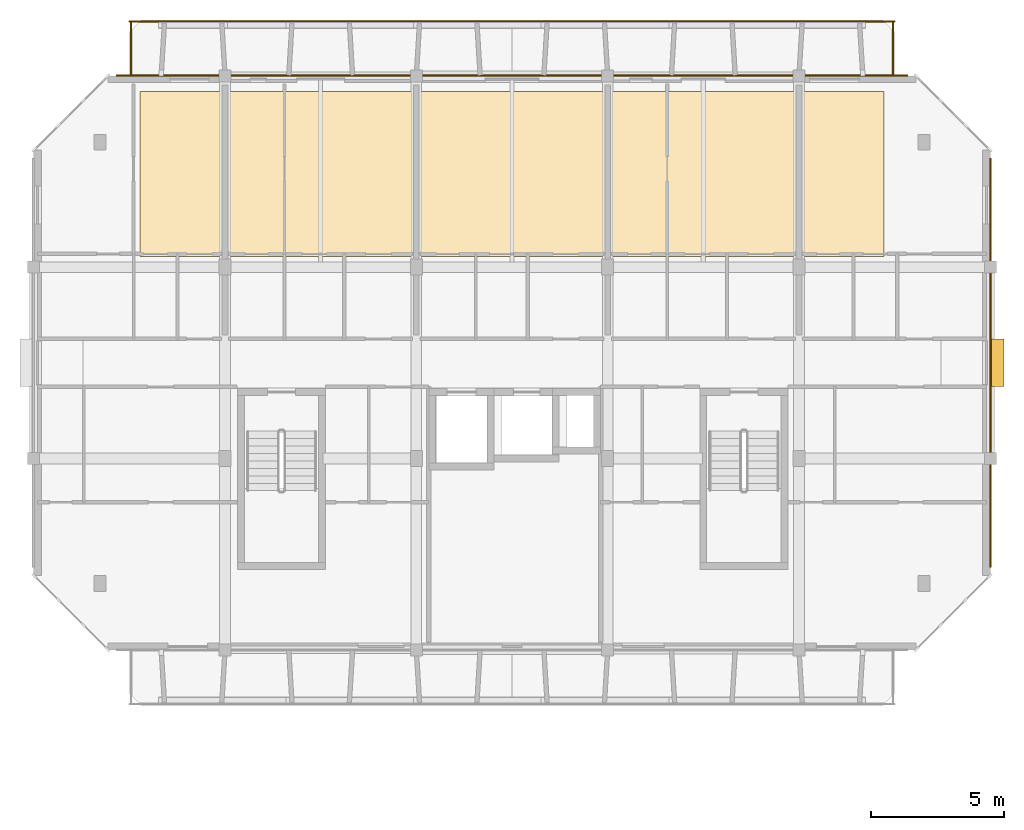
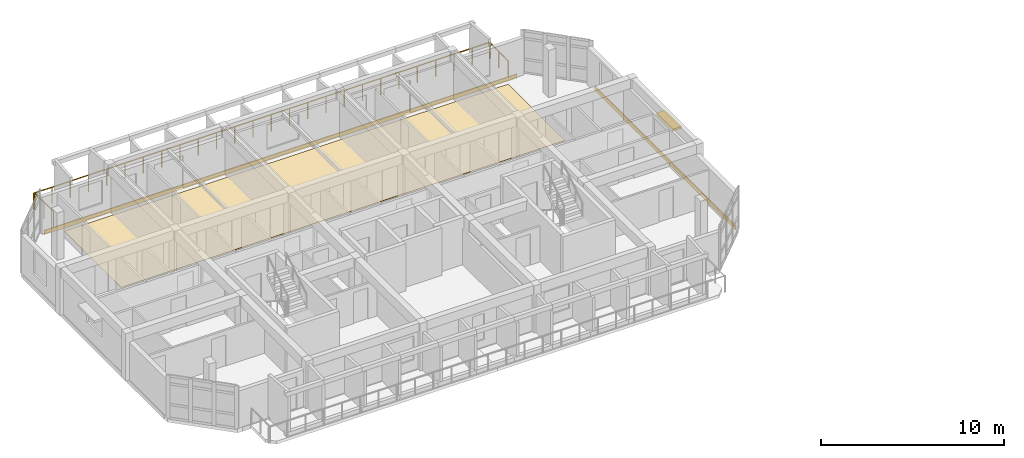
# One storey, part 22 of 22: 3 coverings, 3 railings, 1 shading device.
"""IFC4 building model written with IfcOpenShell, lengths in metres."""

import ifcopenshell
import ifcopenshell.guid

model = None  # the IFC model being written
_history = None  # IfcOwnerHistory: only IFC2X3 demands one
_inside = {}  # id of a spatial element -> (the spatial element, [elements in it])
_under = {}  # id of a project, library or spatial element -> (it, [spatial elements below it])
_declared = {}  # id of a project -> (the project, [libraries it declares])
_typed = {}  # id of a type object -> (the type object, [elements of that type])
_made_of = {}  # id of a material, layer set ... -> (it, [elements and type objects made of it])


def new_model(schema):
    """Start an empty IFC model of exactly this schema.

    Asked for "IFC4X3", IfcOpenShell would pick the latest addendum, in which some entities
    have other attributes; the version numbers below select the first issue.
    IFC2X3 requires an IfcOwnerHistory on every rooted entity: one is made here for all.
    """
    global model, _history
    if schema == "IFC4X3":
        model = ifcopenshell.file(schema_version=(4, 3, 0, 0))
    else:
        model = ifcopenshell.file(schema=schema)
    _inside.clear()
    _under.clear()
    _declared.clear()
    _typed.clear()
    _made_of.clear()
    _history = None
    if model.schema == "IFC2X3":
        org = make("IfcOrganization", Name="unknown")
        user = make(
            "IfcPersonAndOrganization",
            ThePerson=make("IfcPerson", FamilyName="unknown"),
            TheOrganization=org,
        )
        app = make(
            "IfcApplication",
            ApplicationDeveloper=org,
            Version="unknown",
            ApplicationFullName="unknown",
            ApplicationIdentifier="unknown",
        )
        _history = make(
            "IfcOwnerHistory",
            OwningUser=user,
            OwningApplication=app,
            ChangeAction="ADDED",
            CreationDate=0,
        )
    return model


def make(cls, **values):
    """One entity of the class cls with the attributes given. An attribute that is None is left unset."""
    return model.create_entity(
        cls, **{name: value for name, value in values.items() if value is not None}
    )


def rooted(cls, **values):
    """An entity with a GlobalId (a new one), such as an element, a storey or a relation."""
    return make(cls, GlobalId=ifcopenshell.guid.new(), OwnerHistory=_history, **values)


def si_unit(unit_type, name, prefix=None):
    """IfcSIUnit, for example si_unit("LENGTHUNIT", "METRE", prefix="MILLI")."""
    return make("IfcSIUnit", UnitType=unit_type, Prefix=prefix, Name=name)


def assignment(units):
    """IfcUnitAssignment: the units of a project."""
    return None if units is None else make("IfcUnitAssignment", Units=units)


def point(xyz):
    """IfcCartesianPoint."""
    return None if xyz is None else make("IfcCartesianPoint", Coordinates=xyz)


def direction(xyz):
    """IfcDirection."""
    return None if xyz is None else make("IfcDirection", DirectionRatios=xyz)


def frame(location, z_axis=None, x_axis=None):
    """IfcAxis2Placement3D, a coordinate frame: its origin and axes. An axis left out is left unset."""
    return make(
        "IfcAxis2Placement3D",
        Location=point(location),
        Axis=direction(z_axis),
        RefDirection=direction(x_axis),
    )


def frame_2d(location, x_axis=None):
    """IfcAxis2Placement2D, a coordinate frame in the plane: its origin and x axis."""
    return make(
        "IfcAxis2Placement2D", Location=point(location), RefDirection=direction(x_axis)
    )


def origin():
    """The frame at (0, 0, 0) with its axes left unset."""
    return frame((0.0, 0.0, 0.0))


def origin_2d():
    """The frame at (0, 0) in the plane with its x axis left unset."""
    return frame_2d((0.0, 0.0))


def place(relative_to, where):
    """IfcLocalPlacement: puts the frame where relative to a parent placement (None: the world)."""
    return make(
        "IfcLocalPlacement", PlacementRelTo=relative_to, RelativePlacement=where
    )


def context(
    kind, dimensions, precision=None, world=None, true_north=None, identifier=None
):
    """IfcGeometricRepresentationContext, for example the 3D "Model" context."""
    return make(
        "IfcGeometricRepresentationContext",
        ContextIdentifier=identifier,
        ContextType=kind,
        CoordinateSpaceDimension=dimensions,
        Precision=precision,
        WorldCoordinateSystem=world,
        TrueNorth=true_north,
    )


def subcontext(parent, identifier, kind, view, scale=None):
    """IfcGeometricRepresentationSubContext, for example "Body" below "Model"."""
    return make(
        "IfcGeometricRepresentationSubContext",
        ContextIdentifier=identifier,
        ContextType=kind,
        ParentContext=parent,
        TargetScale=scale,
        TargetView=view,
    )


def project(units=None, contexts=None):
    """IfcProject with its units and contexts."""
    return rooted(
        "IfcProject",
        Name="project",
        RepresentationContexts=contexts,
        UnitsInContext=assignment(units),
    )


def spatial(cls, under=None, at=None, **own):
    """A site, building, storey or space (cls), placed at a placement, below another one or the project."""
    s = rooted(cls, ObjectPlacement=at, **own)
    if under is not None:
        _under.setdefault(under.id(), (under, []))[1].append(s)
    return s


def polyline(points):
    """IfcPolyline through the points."""
    return make("IfcPolyline", Points=[point(p) for p in points])


def profile(cls, at=None, kind="AREA", **sizes):
    """A parametric profile (cls). Its sizes go by their IFC names, for example OverallWidth=200.0."""
    return make(cls, ProfileType=kind, Position=at, **sizes)


def rectangle(**sizes):
    """IfcRectangleProfileDef."""
    return profile("IfcRectangleProfileDef", **sizes)


def circle(**sizes):
    """IfcCircleProfileDef."""
    return profile("IfcCircleProfileDef", **sizes)


def outline(outer, holes=None, kind="AREA"):
    """IfcArbitraryClosedProfileDef: a profile drawn as a closed curve; with holes, ...WithVoids."""
    if holes is None:
        return make("IfcArbitraryClosedProfileDef", ProfileType=kind, OuterCurve=outer)
    return make(
        "IfcArbitraryProfileDefWithVoids",
        ProfileType=kind,
        OuterCurve=outer,
        InnerCurves=holes,
    )


def extrude(swept, where, along, depth):
    """IfcExtrudedAreaSolid: the profile swept, set in the frame where, extruded along a direction by depth."""
    return make(
        "IfcExtrudedAreaSolid",
        SweptArea=swept,
        Position=where,
        ExtrudedDirection=direction(along),
        Depth=depth,
    )


def shape(context_of_items, identifier, shape_type, items):
    """IfcShapeRepresentation: the items that make up one representation, for example the "Body"."""
    return make(
        "IfcShapeRepresentation",
        ContextOfItems=context_of_items,
        RepresentationIdentifier=identifier,
        RepresentationType=shape_type,
        Items=items,
    )


def material(Name=None, Category=None):
    """IfcMaterial."""
    return make("IfcMaterial", Name=Name, Category=Category)


def layer(
    of_material, thickness, ventilated=None, Name=None, Category=None, Priority=None
):
    """IfcMaterialLayer: one layer of a wall or slab, of a material (None: an air gap)."""
    return make(
        "IfcMaterialLayer",
        Material=of_material,
        LayerThickness=thickness,
        IsVentilated=ventilated,
        Name=Name,
        Category=Category,
        Priority=Priority,
    )


def layer_set(layers, Name=None):
    """IfcMaterialLayerSet."""
    return make("IfcMaterialLayerSet", MaterialLayers=layers, LayerSetName=Name)


def made_of(thing, what):
    """Note that an element or type object is made of a material, layer set ...; save() writes the relation."""
    if what is not None:
        _made_of.setdefault(what.id(), (what, []))[1].append(thing)
    return thing


def type_object(cls, material=None, **own):
    """A type object (cls), such as IfcWallType, which elements share."""
    return made_of(rooted(cls, **own), material)


def element(
    cls,
    number,
    at=None,
    inside=None,
    cuts=None,
    type_object=None,
    material=None,
    context=None,
    identifier="Body",
    shape_type=None,
    held_by="IfcProductDefinitionShape",
    body=None,
    shapes=None,
    **own,
):
    """One element of the class cls, such as IfcWall. Its Tag is "e" and its number.

    at: its placement. inside: the storey or other place that contains it. cuts: it is an
    opening in that element (IfcRelVoidsElement). A single representation is given by context,
    identifier, shape_type and body (its items); several are given by shapes. held_by: the class
    of the entity that holds the representations. save() writes the other relations.
    """
    e = rooted(cls, Tag="e%d" % number, ObjectPlacement=at, **own)
    if body is not None:
        shapes = [shape(context, identifier, shape_type, body)]
    if shapes is not None:
        e.Representation = make(held_by, Representations=shapes)
    if inside is not None:
        _inside.setdefault(inside.id(), (inside, []))[1].append(e)
    if cuts is not None:
        rooted(
            "IfcRelVoidsElement", RelatingBuildingElement=cuts, RelatedOpeningElement=e
        )
    if type_object is not None:
        _typed.setdefault(type_object.id(), (type_object, []))[1].append(e)
    return made_of(e, material)


def aggregate(whole, parts):
    """IfcRelAggregates: a whole, such as a stair, and the parts it consists of."""
    return rooted("IfcRelAggregates", RelatingObject=whole, RelatedObjects=parts)


def save(model, path):
    """Write the relations noted so far, then the file.

    IfcRelAggregates (storeys below a building ...), IfcRelContainedInSpatialStructure (elements
    in a storey), IfcRelDefinesByType, IfcRelAssociatesMaterial and IfcRelDeclares: one each for
    every whole, place, type object, material and project.
    """
    for whole, parts in _under.values():
        aggregate(whole, parts)
    for where, things in _inside.values():
        rooted(
            "IfcRelContainedInSpatialStructure",
            RelatedElements=things,
            RelatingStructure=where,
        )
    for kind, things in _typed.values():
        rooted("IfcRelDefinesByType", RelatedObjects=things, RelatingType=kind)
    for what, things in _made_of.values():
        rooted("IfcRelAssociatesMaterial", RelatedObjects=things, RelatingMaterial=what)
    for by, libraries in _declared.values():
        rooted("IfcRelDeclares", RelatingContext=by, RelatedDefinitions=libraries)
    model.write(path)


model = new_model("IFC4")

# Units and contexts
model_context = context("Model", 3, precision=1e-05, world=origin(), true_north=direction((0.0, 1.0)))
body_context = subcontext(model_context, "Body", "Model", "MODEL_VIEW")
ifc_project = project(units=[si_unit("LENGTHUNIT", "METRE"), si_unit("AREAUNIT", "SQUARE_METRE"), si_unit("VOLUMEUNIT", "CUBIC_METRE"), si_unit("PLANEANGLEUNIT", "RADIAN"), si_unit("MASSUNIT", "GRAM", prefix="KILO")], contexts=[model_context])

# Site, building, storey
site_placement = place(None, origin())
site = spatial("IfcSite", under=ifc_project, at=site_placement, CompositionType="ELEMENT")
building_placement = place(site_placement, origin())
building = spatial("IfcBuilding", under=site, at=building_placement, Name="Ochrevale Crest", CompositionType="ELEMENT")
storey_placement = place(building_placement, frame((0.0, 0.0, 40.199951171875)))
storey = spatial("IfcBuildingStorey", under=building, at=storey_placement, Name="L12", CompositionType="ELEMENT", Elevation=40.199951171875)

# Coverings
ifc_material_1 = material(Name="Glazed terracotta rainscreen tile", Category="masonry")
ifc_layer_1 = layer(ifc_material_1, 0.048095703125)
ifc_layer_set_1 = layer_set([ifc_layer_1], Name="Glazed terracotta rainscreen tile")
covering_type_1 = type_object("IfcCoveringType", Name="COV-CLAD-TER", PredefinedType="CLADDING", material=ifc_layer_set_1)
covering_1_placement = place(storey_placement, frame((165.614501953125, 82.800048828125, -0.259765625), z_axis=(0.0, 0.0, 1.0), x_axis=(0.0, 1.0, 0.0)))
element("IfcCovering", 1, at=covering_1_placement, inside=storey, type_object=covering_type_1, Name="Block D L12 terracotta slab-edge spandrel cladding", PredefinedType="CLADDING", context=body_context, shape_type="SweptSolid", body=[
    extrude(rectangle(XDim=15.39990234375, YDim=0.06005859375, at=origin_2d()), origin(), (0.0, 0.0, 1.0), 0.280029296875),
])
covering_2_placement = place(storey_placement, frame((147.60009765625, 93.612548828125, -0.259765625), z_axis=(0.0, 0.0, 1.0), x_axis=(-1.0, 0.0, 0.0)))
element("IfcCovering", 2, at=covering_2_placement, inside=storey, type_object=covering_type_1, Name="Block D L12 terracotta slab-edge spandrel cladding", PredefinedType="CLADDING", context=body_context, shape_type="SweptSolid", body=[
    extrude(rectangle(XDim=29.800048828125, YDim=0.06005859375, at=origin_2d()), origin(), (0.0, 0.0, 1.0), 0.280029296875),
])
ifc_material_2 = material(Name="Engineered spotted-gum hardwood flooring", Category="wood")
ifc_layer_2 = layer(ifc_material_2, 0.02001953125)
ifc_layer_set_2 = layer_set([ifc_layer_2], Name="Engineered spotted-gum hardwood flooring")
covering_type_2 = type_object("IfcCoveringType", Name="COV-FLR-TIM", PredefinedType="FLOORING", material=ifc_layer_set_2)
covering_3_placement = place(storey_placement, origin())
element("IfcCovering", 3, at=covering_3_placement, inside=storey, type_object=covering_type_2, Name="Block D L12 spotted-gum apartment flooring", PredefinedType="FLOORING", context=body_context, shape_type="SweptSolid", body=[
    extrude(outline(polyline([(133.60009765625, 86.800048828125), (161.60009765625, 86.800048828125), (161.60009765625, 93.0), (133.60009765625, 93.0), (133.60009765625, 86.800048828125)])), origin(), (0.0, 0.0, 1.0), 0.02001953125),
])

# Railings
ifc_material_3 = material(Name="Galvanised steel", Category="steel")
railing_type = type_object("IfcRailingType", Name="RL-BAL-1100", PredefinedType="BALUSTRADE", material=ifc_material_3)
railing_placement = place(storey_placement, frame((133.199951171875, 95.639892578125, 0.0)))
element("IfcRailing", 4, at=railing_placement, inside=storey, type_object=railing_type, Name="Block D L12 N balcony front balustrade", PredefinedType="BALUSTRADE", context=body_context, shape_type="SweptSolid", body=[
    extrude(circle(Radius=0.02392578125, at=origin_2d()), frame((0.0, 0.0, 1.0859375), z_axis=(1.0, 0.0, 0.0), x_axis=(0.0, 1.0, 0.0)), (0.0, 0.0, 1.0), 28.800048828125),
    extrude(circle(Radius=0.02099609375, at=origin_2d()), origin(), (0.0, 0.0, 1.0), 1.06201171875),
    extrude(circle(Radius=0.02099609375, at=origin_2d()), frame((1.152099609375, 0.0, 0.0)), (0.0, 0.0, 1.0), 1.06201171875),
    extrude(circle(Radius=0.02099609375, at=origin_2d()), frame((2.303955078125, 0.0, 0.0)), (0.0, 0.0, 1.0), 1.06201171875),
    extrude(circle(Radius=0.02099609375, at=origin_2d()), frame((3.4560546875, 0.0, 0.0)), (0.0, 0.0, 1.0), 1.06201171875),
    extrude(circle(Radius=0.02099609375, at=origin_2d()), frame((4.60791015625, 0.0, 0.0)), (0.0, 0.0, 1.0), 1.06201171875),
    extrude(circle(Radius=0.02099609375, at=origin_2d()), frame((5.760009765625, 0.0, 0.0)), (0.0, 0.0, 1.0), 1.06201171875),
    extrude(circle(Radius=0.02099609375, at=origin_2d()), frame((6.912109375, 0.0, 0.0)), (0.0, 0.0, 1.0), 1.06201171875),
    extrude(circle(Radius=0.02099609375, at=origin_2d()), frame((8.06396484375, 0.0, 0.0)), (0.0, 0.0, 1.0), 1.06201171875),
    extrude(circle(Radius=0.02099609375, at=origin_2d()), frame((9.216064453125, 0.0, 0.0)), (0.0, 0.0, 1.0), 1.06201171875),
    extrude(circle(Radius=0.02099609375, at=origin_2d()), frame((10.367919921875, 0.0, 0.0)), (0.0, 0.0, 1.0), 1.06201171875),
    extrude(circle(Radius=0.02099609375, at=origin_2d()), frame((11.52001953125, 0.0, 0.0)), (0.0, 0.0, 1.0), 1.06201171875),
    extrude(circle(Radius=0.02099609375, at=origin_2d()), frame((12.672119140625, 0.0, 0.0)), (0.0, 0.0, 1.0), 1.06201171875),
    extrude(circle(Radius=0.02099609375, at=origin_2d()), frame((13.823974609375, 0.0, 0.0)), (0.0, 0.0, 1.0), 1.06201171875),
    extrude(circle(Radius=0.02099609375, at=origin_2d()), frame((14.97607421875, 0.0, 0.0)), (0.0, 0.0, 1.0), 1.06201171875),
    extrude(circle(Radius=0.02099609375, at=origin_2d()), frame((16.1279296875, 0.0, 0.0)), (0.0, 0.0, 1.0), 1.06201171875),
    extrude(circle(Radius=0.02099609375, at=origin_2d()), frame((17.280029296875, 0.0, 0.0)), (0.0, 0.0, 1.0), 1.06201171875),
    extrude(circle(Radius=0.02099609375, at=origin_2d()), frame((18.43212890625, 0.0, 0.0)), (0.0, 0.0, 1.0), 1.06201171875),
    extrude(circle(Radius=0.02099609375, at=origin_2d()), frame((19.583984375, 0.0, 0.0)), (0.0, 0.0, 1.0), 1.06201171875),
    extrude(circle(Radius=0.02099609375, at=origin_2d()), frame((20.736083984375, 0.0, 0.0)), (0.0, 0.0, 1.0), 1.06201171875),
    extrude(circle(Radius=0.02099609375, at=origin_2d()), frame((21.887939453125, 0.0, 0.0)), (0.0, 0.0, 1.0), 1.06201171875),
    extrude(circle(Radius=0.02099609375, at=origin_2d()), frame((23.0400390625, 0.0, 0.0)), (0.0, 0.0, 1.0), 1.06201171875),
    extrude(circle(Radius=0.02099609375, at=origin_2d()), frame((24.192138671875, 0.0, 0.0)), (0.0, 0.0, 1.0), 1.06201171875),
    extrude(circle(Radius=0.02099609375, at=origin_2d()), frame((25.343994140625, 0.0, 0.0)), (0.0, 0.0, 1.0), 1.06201171875),
    extrude(circle(Radius=0.02099609375, at=origin_2d()), frame((26.49609375, 0.0, 0.0)), (0.0, 0.0, 1.0), 1.06201171875),
    extrude(circle(Radius=0.02099609375, at=origin_2d()), frame((27.64794921875, 0.0, 0.0)), (0.0, 0.0, 1.0), 1.06201171875),
    extrude(circle(Radius=0.02099609375, at=origin_2d()), frame((28.800048828125, 0.0, 0.0)), (0.0, 0.0, 1.0), 1.06201171875),
])
for number, where, name in (
    (5, (133.260009765625, 93.60009765625, 0.0), "Block D L12 N-W balcony side guard"),
    (6, (161.93994140625, 93.60009765625, 0.0), "Block D L12 N-E balcony side guard"),
):
    element("IfcRailing", number, at=place(storey_placement, frame(where)), inside=storey, type_object=railing_type, Name=name, PredefinedType="BALUSTRADE", context=body_context, shape_type="SweptSolid", body=[
        extrude(circle(Radius=0.02392578125, at=origin_2d()), frame((0.0, 0.0, 1.0859375), z_axis=(0.0, 1.0, 0.0), x_axis=(-1.0, 0.0, 0.0)), (0.0, 0.0, 1.0), 2.039794921875),
        extrude(circle(Radius=0.02099609375, at=origin_2d()), origin(), (0.0, 0.0, 1.0), 1.06201171875),
        extrude(circle(Radius=0.02099609375, at=origin_2d()), frame((0.0, 1.02001953125, 0.0)), (0.0, 0.0, 1.0), 1.06201171875),
        extrude(circle(Radius=0.02099609375, at=origin_2d()), frame((0.0, 2.039794921875, 0.0)), (0.0, 0.0, 1.0), 1.06201171875),
    ])

# Shading device
ifc_material_4 = material(Name="Anodised aluminium 6063-T5", Category="aluminium")
shading_device_type = type_object("IfcShadingDeviceType", Name="SHD-SUNSHADE-OC", PredefinedType="USERDEFINED", material=ifc_material_4)
shading_device_placement = place(storey_placement, frame((165.840087890625, 82.800048828125, 2.2099609375), z_axis=(0.0, 0.0, 1.0), x_axis=(1.0, 0.0, 0.0)))
element("IfcShadingDevice", 7, at=shading_device_placement, inside=storey, type_object=shading_device_type, Name="Block D L12 gable window sunshade E", ObjectType="HORIZONTAL SUNSHADE", PredefinedType="USERDEFINED", context=body_context, shape_type="SweptSolid", body=[
    extrude(rectangle(XDim=0.550048828125, YDim=1.800048828125, at=origin_2d()), origin(), (0.0, 0.0, 1.0), 0.139892578125),
])

save(model, "model.ifc")
